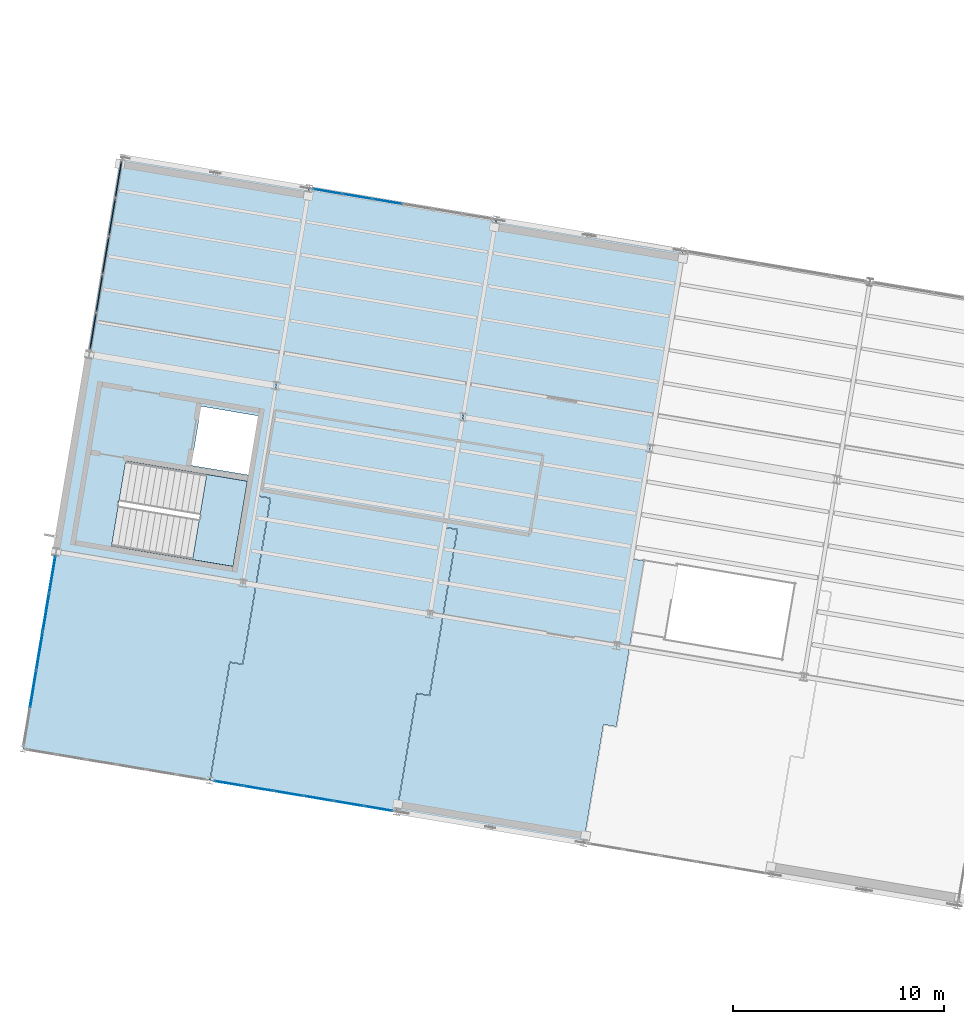
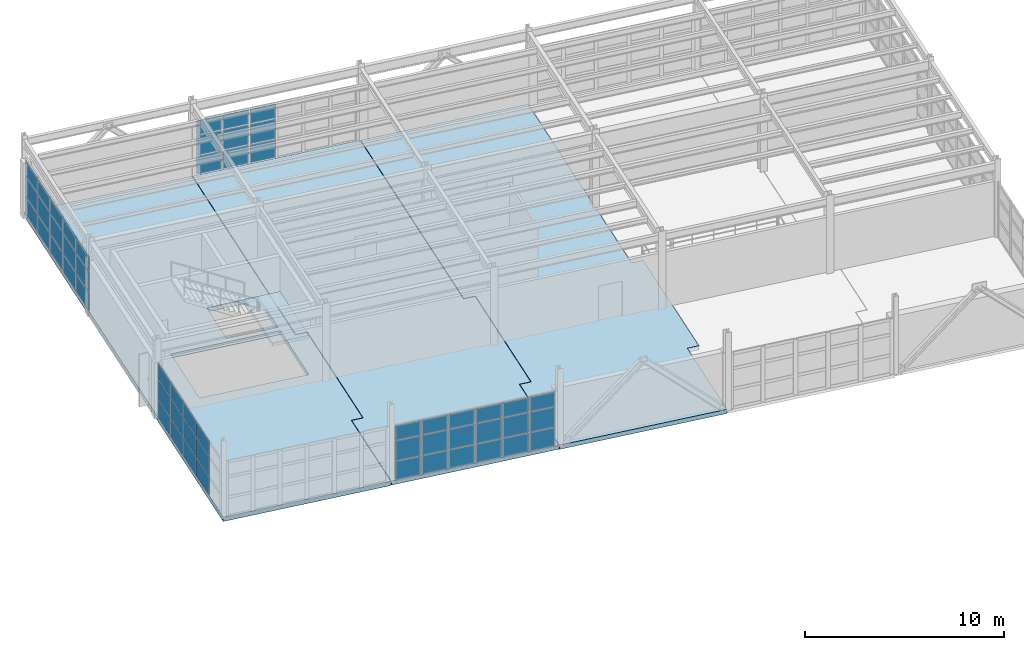
# One storey, part 66 of 102: 54 plates, 4 slabs, 5 elements without a shape of their own.
"""IFC4 building model written with IfcOpenShell, lengths in metres."""

import ifcopenshell
import ifcopenshell.guid

model = None  # the IFC model being written
_history = None  # IfcOwnerHistory: only IFC2X3 demands one
_inside = {}  # id of a spatial element -> (the spatial element, [elements in it])
_under = {}  # id of a project, library or spatial element -> (it, [spatial elements below it])
_declared = {}  # id of a project -> (the project, [libraries it declares])
_typed = {}  # id of a type object -> (the type object, [elements of that type])
_made_of = {}  # id of a material, layer set ... -> (it, [elements and type objects made of it])


def new_model(schema):
    """Start an empty IFC model of exactly this schema.

    Asked for "IFC4X3", IfcOpenShell would pick the latest addendum, in which some entities
    have other attributes; the version numbers below select the first issue.
    IFC2X3 requires an IfcOwnerHistory on every rooted entity: one is made here for all.
    """
    global model, _history
    if schema == "IFC4X3":
        model = ifcopenshell.file(schema_version=(4, 3, 0, 0))
    else:
        model = ifcopenshell.file(schema=schema)
    _inside.clear()
    _under.clear()
    _declared.clear()
    _typed.clear()
    _made_of.clear()
    _history = None
    if model.schema == "IFC2X3":
        org = make("IfcOrganization", Name="unknown")
        user = make(
            "IfcPersonAndOrganization",
            ThePerson=make("IfcPerson", FamilyName="unknown"),
            TheOrganization=org,
        )
        app = make(
            "IfcApplication",
            ApplicationDeveloper=org,
            Version="unknown",
            ApplicationFullName="unknown",
            ApplicationIdentifier="unknown",
        )
        _history = make(
            "IfcOwnerHistory",
            OwningUser=user,
            OwningApplication=app,
            ChangeAction="ADDED",
            CreationDate=0,
        )
    return model


def make(cls, **values):
    """One entity of the class cls with the attributes given. An attribute that is None is left unset."""
    return model.create_entity(
        cls, **{name: value for name, value in values.items() if value is not None}
    )


def rooted(cls, **values):
    """An entity with a GlobalId (a new one), such as an element, a storey or a relation."""
    return make(cls, GlobalId=ifcopenshell.guid.new(), OwnerHistory=_history, **values)


def si_unit(unit_type, name, prefix=None):
    """IfcSIUnit, for example si_unit("LENGTHUNIT", "METRE", prefix="MILLI")."""
    return make("IfcSIUnit", UnitType=unit_type, Prefix=prefix, Name=name)


def assignment(units):
    """IfcUnitAssignment: the units of a project."""
    return None if units is None else make("IfcUnitAssignment", Units=units)


def point(xyz):
    """IfcCartesianPoint."""
    return None if xyz is None else make("IfcCartesianPoint", Coordinates=xyz)


def direction(xyz):
    """IfcDirection."""
    return None if xyz is None else make("IfcDirection", DirectionRatios=xyz)


def frame(location, z_axis=None, x_axis=None):
    """IfcAxis2Placement3D, a coordinate frame: its origin and axes. An axis left out is left unset."""
    return make(
        "IfcAxis2Placement3D",
        Location=point(location),
        Axis=direction(z_axis),
        RefDirection=direction(x_axis),
    )


def frame_2d(location, x_axis=None):
    """IfcAxis2Placement2D, a coordinate frame in the plane: its origin and x axis."""
    return make(
        "IfcAxis2Placement2D", Location=point(location), RefDirection=direction(x_axis)
    )


def origin():
    """The frame at (0, 0, 0) with its axes left unset."""
    return frame((0.0, 0.0, 0.0))


def origin_2d():
    """The frame at (0, 0) in the plane with its x axis left unset."""
    return frame_2d((0.0, 0.0))


def place(relative_to, where):
    """IfcLocalPlacement: puts the frame where relative to a parent placement (None: the world)."""
    return make(
        "IfcLocalPlacement", PlacementRelTo=relative_to, RelativePlacement=where
    )


def context(
    kind, dimensions, precision=None, world=None, true_north=None, identifier=None
):
    """IfcGeometricRepresentationContext, for example the 3D "Model" context."""
    return make(
        "IfcGeometricRepresentationContext",
        ContextIdentifier=identifier,
        ContextType=kind,
        CoordinateSpaceDimension=dimensions,
        Precision=precision,
        WorldCoordinateSystem=world,
        TrueNorth=true_north,
    )


def subcontext(parent, identifier, kind, view, scale=None):
    """IfcGeometricRepresentationSubContext, for example "Body" below "Model"."""
    return make(
        "IfcGeometricRepresentationSubContext",
        ContextIdentifier=identifier,
        ContextType=kind,
        ParentContext=parent,
        TargetScale=scale,
        TargetView=view,
    )


def project(units=None, contexts=None):
    """IfcProject with its units and contexts."""
    return rooted(
        "IfcProject",
        Name="project",
        RepresentationContexts=contexts,
        UnitsInContext=assignment(units),
    )


def spatial(cls, under=None, at=None, **own):
    """A site, building, storey or space (cls), placed at a placement, below another one or the project."""
    s = rooted(cls, ObjectPlacement=at, **own)
    if under is not None:
        _under.setdefault(under.id(), (under, []))[1].append(s)
    return s


def polyline(points):
    """IfcPolyline through the points."""
    return make("IfcPolyline", Points=[point(p) for p in points])


def profile(cls, at=None, kind="AREA", **sizes):
    """A parametric profile (cls). Its sizes go by their IFC names, for example OverallWidth=200.0."""
    return make(cls, ProfileType=kind, Position=at, **sizes)


def rectangle(**sizes):
    """IfcRectangleProfileDef."""
    return profile("IfcRectangleProfileDef", **sizes)


def outline(outer, holes=None, kind="AREA"):
    """IfcArbitraryClosedProfileDef: a profile drawn as a closed curve; with holes, ...WithVoids."""
    if holes is None:
        return make("IfcArbitraryClosedProfileDef", ProfileType=kind, OuterCurve=outer)
    return make(
        "IfcArbitraryProfileDefWithVoids",
        ProfileType=kind,
        OuterCurve=outer,
        InnerCurves=holes,
    )


def extrude(swept, where, along, depth):
    """IfcExtrudedAreaSolid: the profile swept, set in the frame where, extruded along a direction by depth."""
    return make(
        "IfcExtrudedAreaSolid",
        SweptArea=swept,
        Position=where,
        ExtrudedDirection=direction(along),
        Depth=depth,
    )


def shape(context_of_items, identifier, shape_type, items):
    """IfcShapeRepresentation: the items that make up one representation, for example the "Body"."""
    return make(
        "IfcShapeRepresentation",
        ContextOfItems=context_of_items,
        RepresentationIdentifier=identifier,
        RepresentationType=shape_type,
        Items=items,
    )


def material(Name=None, Category=None):
    """IfcMaterial."""
    return make("IfcMaterial", Name=Name, Category=Category)


def layer(
    of_material, thickness, ventilated=None, Name=None, Category=None, Priority=None
):
    """IfcMaterialLayer: one layer of a wall or slab, of a material (None: an air gap)."""
    return make(
        "IfcMaterialLayer",
        Material=of_material,
        LayerThickness=thickness,
        IsVentilated=ventilated,
        Name=Name,
        Category=Category,
        Priority=Priority,
    )


def layer_set(layers, Name=None):
    """IfcMaterialLayerSet."""
    return make("IfcMaterialLayerSet", MaterialLayers=layers, LayerSetName=Name)


def made_of(thing, what):
    """Note that an element or type object is made of a material, layer set ...; save() writes the relation."""
    if what is not None:
        _made_of.setdefault(what.id(), (what, []))[1].append(thing)
    return thing


def type_object(cls, material=None, **own):
    """A type object (cls), such as IfcWallType, which elements share."""
    return made_of(rooted(cls, **own), material)


def element(
    cls,
    number,
    at=None,
    inside=None,
    cuts=None,
    type_object=None,
    material=None,
    context=None,
    identifier="Body",
    shape_type=None,
    held_by="IfcProductDefinitionShape",
    body=None,
    shapes=None,
    **own,
):
    """One element of the class cls, such as IfcWall. Its Tag is "e" and its number.

    at: its placement. inside: the storey or other place that contains it. cuts: it is an
    opening in that element (IfcRelVoidsElement). A single representation is given by context,
    identifier, shape_type and body (its items); several are given by shapes. held_by: the class
    of the entity that holds the representations. save() writes the other relations.
    """
    e = rooted(cls, Tag="e%d" % number, ObjectPlacement=at, **own)
    if body is not None:
        shapes = [shape(context, identifier, shape_type, body)]
    if shapes is not None:
        e.Representation = make(held_by, Representations=shapes)
    if inside is not None:
        _inside.setdefault(inside.id(), (inside, []))[1].append(e)
    if cuts is not None:
        rooted(
            "IfcRelVoidsElement", RelatingBuildingElement=cuts, RelatedOpeningElement=e
        )
    if type_object is not None:
        _typed.setdefault(type_object.id(), (type_object, []))[1].append(e)
    return made_of(e, material)


def aggregate(whole, parts):
    """IfcRelAggregates: a whole, such as a stair, and the parts it consists of."""
    return rooted("IfcRelAggregates", RelatingObject=whole, RelatedObjects=parts)


def save(model, path):
    """Write the relations noted so far, then the file.

    IfcRelAggregates (storeys below a building ...), IfcRelContainedInSpatialStructure (elements
    in a storey), IfcRelDefinesByType, IfcRelAssociatesMaterial and IfcRelDeclares: one each for
    every whole, place, type object, material and project.
    """
    for whole, parts in _under.values():
        aggregate(whole, parts)
    for where, things in _inside.values():
        rooted(
            "IfcRelContainedInSpatialStructure",
            RelatedElements=things,
            RelatingStructure=where,
        )
    for kind, things in _typed.values():
        rooted("IfcRelDefinesByType", RelatedObjects=things, RelatingType=kind)
    for what, things in _made_of.values():
        rooted("IfcRelAssociatesMaterial", RelatedObjects=things, RelatingMaterial=what)
    for by, libraries in _declared.values():
        rooted("IfcRelDeclares", RelatingContext=by, RelatedDefinitions=libraries)
    model.write(path)


model = new_model("IFC4")

# Units and contexts
model_context = context("Model", 3, precision=1e-05, world=origin(), true_north=direction((0.0, 1.0)))
body_context = subcontext(model_context, "Body", "Model", "MODEL_VIEW")
ifc_project = project(units=[si_unit("LENGTHUNIT", "METRE"), si_unit("AREAUNIT", "SQUARE_METRE"), si_unit("VOLUMEUNIT", "CUBIC_METRE"), si_unit("PLANEANGLEUNIT", "RADIAN"), si_unit("MASSUNIT", "GRAM", prefix="KILO")], contexts=[model_context])

# Site, building, storey
site_placement = place(None, origin())
site = spatial("IfcSite", under=ifc_project, at=site_placement, CompositionType="ELEMENT")
building_placement = place(site_placement, origin())
building = spatial("IfcBuilding", under=site, at=building_placement, Name="Vireo Bluff Cable Station", CompositionType="ELEMENT")
storey_placement = place(building_placement, frame((0.0, 0.0, 9.60009765625)))
storey = spatial("IfcBuildingStorey", under=building, at=storey_placement, Name="L02", CompositionType="ELEMENT", Elevation=9.60009765625)

# Curtain wall, plates
ifc_material_1 = material(Name="Anodized Aluminium 6063-T6", Category="aluminium")
ifc_layer_1 = layer(ifc_material_1, 0.179931640625, Name="Anodized Aluminium 6063-T6")
ifc_layer_set_1 = layer_set([ifc_layer_1], Name="Anodized Aluminium 6063-T6")
curtain_wall_type_1 = type_object("IfcCurtainWallType", Name="CW-UNIT-1500", PredefinedType="USERDEFINED", material=ifc_layer_set_1)
curtain_wall_1_placement = place(storey_placement, origin())
curtain_wall_1 = element("IfcCurtainWall", 1, at=curtain_wall_1_placement, inside=storey, type_object=curtain_wall_type_1, Name="V4 L02 north curtain wall CW-100", ObjectType="UNITISED CURTAIN WALL", PredefinedType="USERDEFINED")
ifc_material_2 = material(Name="Laminated Low-E Insulated Glass", Category="glass")
ifc_layer_2 = layer(ifc_material_2, 0.028076171875, Name="Laminated Low-E Insulated Glass")
ifc_layer_set_2 = layer_set([ifc_layer_2], Name="Laminated Low-E Insulated Glass")
plate_type_1 = type_object("IfcPlateType", Name="CWP-28-1", PredefinedType="CURTAIN_PANEL", material=ifc_layer_set_2)
plate_1_placement = place(storey_placement, frame((19.966552734375, 97.975341796875, 0.06494140625), z_axis=(0.0, 0.0, 1.0), x_axis=(0.986285611827, -0.165047544373, 0.0)))
plate_1 = element("IfcPlate", 2, at=plate_1_placement, type_object=plate_type_1, Name="CW-100 panel 1.1", PredefinedType="CURTAIN_PANEL", context=body_context, shape_type="SweptSolid", body=[
    extrude(rectangle(XDim=1.35009765625, YDim=0.028076171875, at=origin_2d()), origin(), (0.0, 0.0, 1.0), 1.092529296875),
])
plate_2_placement = place(storey_placement, frame((19.966552734375, 97.975341796875, 1.22216796875), z_axis=(0.0, 0.0, 1.0), x_axis=(0.986285611827, -0.165047544373, 0.0)))
plate_2 = element("IfcPlate", 3, at=plate_2_placement, type_object=plate_type_1, Name="CW-100 panel 1.2", PredefinedType="CURTAIN_PANEL", context=body_context, shape_type="SweptSolid", body=[
    extrude(rectangle(XDim=1.35009765625, YDim=0.028076171875, at=origin_2d()), origin(), (0.0, 0.0, 1.0), 1.193115234375),
])
plate_3_placement = place(storey_placement, frame((19.966552734375, 97.975341796875, 2.48046875), z_axis=(0.0, 0.0, 1.0), x_axis=(0.986285611827, -0.165047544373, 0.0)))
plate_3 = element("IfcPlate", 4, at=plate_3_placement, type_object=plate_type_1, Name="CW-100 panel 1.3", PredefinedType="CURTAIN_PANEL", context=body_context, shape_type="SweptSolid", body=[
    extrude(rectangle(XDim=1.35009765625, YDim=0.028076171875, at=origin_2d()), origin(), (0.0, 0.0, 1.0), 0.8544921875),
])
plate_4_placement = place(storey_placement, frame((21.378173828125, 97.7392578125, 0.06494140625), z_axis=(0.0, 0.0, 1.0), x_axis=(0.986285611827, -0.165047544373, 0.0)))
plate_4 = element("IfcPlate", 5, at=plate_4_placement, type_object=plate_type_1, Name="CW-100 panel 2.1", PredefinedType="CURTAIN_PANEL", context=body_context, shape_type="SweptSolid", body=[
    extrude(rectangle(XDim=1.382568359375, YDim=0.028076171875, at=origin_2d()), origin(), (0.0, 0.0, 1.0), 1.092529296875),
])
plate_5_placement = place(storey_placement, frame((21.378173828125, 97.7392578125, 1.22216796875), z_axis=(0.0, 0.0, 1.0), x_axis=(0.986285611827, -0.165047544373, 0.0)))
plate_5 = element("IfcPlate", 6, at=plate_5_placement, type_object=plate_type_1, Name="CW-100 panel 2.2", PredefinedType="CURTAIN_PANEL", context=body_context, shape_type="SweptSolid", body=[
    extrude(rectangle(XDim=1.382568359375, YDim=0.028076171875, at=origin_2d()), origin(), (0.0, 0.0, 1.0), 1.193115234375),
])
plate_6_placement = place(storey_placement, frame((21.378173828125, 97.7392578125, 2.48046875), z_axis=(0.0, 0.0, 1.0), x_axis=(0.986285611827, -0.165047544373, 0.0)))
plate_6 = element("IfcPlate", 7, at=plate_6_placement, type_object=plate_type_1, Name="CW-100 panel 2.3", PredefinedType="CURTAIN_PANEL", context=body_context, shape_type="SweptSolid", body=[
    extrude(rectangle(XDim=1.382568359375, YDim=0.028076171875, at=origin_2d()), origin(), (0.0, 0.0, 1.0), 0.8544921875),
])
plate_7_placement = place(storey_placement, frame((22.805908203125, 97.500244140625, 0.06494140625), z_axis=(0.0, 0.0, 1.0), x_axis=(0.986285611827, -0.165047544373, 0.0)))
plate_7 = element("IfcPlate", 8, at=plate_7_placement, type_object=plate_type_1, Name="CW-100 panel 3.1", PredefinedType="CURTAIN_PANEL", context=body_context, shape_type="SweptSolid", body=[
    extrude(rectangle(XDim=1.382568359375, YDim=0.028076171875, at=origin_2d()), origin(), (0.0, 0.0, 1.0), 1.092529296875),
])
plate_8_placement = place(storey_placement, frame((22.805908203125, 97.500244140625, 1.22216796875), z_axis=(0.0, 0.0, 1.0), x_axis=(0.986285611827, -0.165047544373, 0.0)))
plate_8 = element("IfcPlate", 9, at=plate_8_placement, type_object=plate_type_1, Name="CW-100 panel 3.2", PredefinedType="CURTAIN_PANEL", context=body_context, shape_type="SweptSolid", body=[
    extrude(rectangle(XDim=1.382568359375, YDim=0.028076171875, at=origin_2d()), origin(), (0.0, 0.0, 1.0), 1.193115234375),
])
plate_9_placement = place(storey_placement, frame((22.805908203125, 97.500244140625, 2.48046875), z_axis=(0.0, 0.0, 1.0), x_axis=(0.986285611827, -0.165047544373, 0.0)))
plate_9 = element("IfcPlate", 10, at=plate_9_placement, type_object=plate_type_1, Name="CW-100 panel 3.3", PredefinedType="CURTAIN_PANEL", context=body_context, shape_type="SweptSolid", body=[
    extrude(rectangle(XDim=1.382568359375, YDim=0.028076171875, at=origin_2d()), origin(), (0.0, 0.0, 1.0), 0.8544921875),
])
aggregate(curtain_wall_1, [plate_1, plate_2, plate_3, plate_4, plate_5, plate_6, plate_7, plate_8, plate_9])

ifc_layer_3 = layer(ifc_material_1, 0.179931640625, Name="Anodized Aluminium 6063-T6")
ifc_layer_set_3 = layer_set([ifc_layer_3], Name="Anodized Aluminium 6063-T6")
curtain_wall_type_2 = type_object("IfcCurtainWallType", Name="CW-UNIT-1400", PredefinedType="USERDEFINED", material=ifc_layer_set_3)
curtain_wall_2_placement = place(storey_placement, origin())
curtain_wall_2 = element("IfcCurtainWall", 11, at=curtain_wall_2_placement, inside=storey, type_object=curtain_wall_type_2, Name="V4 L02 south curtain wall CW-096", ObjectType="UNITISED CURTAIN WALL", PredefinedType="USERDEFINED")
ifc_layer_4 = layer(ifc_material_2, 0.031982421875, Name="Laminated Low-E Insulated Glass")
ifc_layer_set_4 = layer_set([ifc_layer_4], Name="Laminated Low-E Insulated Glass")
plate_type_2 = type_object("IfcPlateType", Name="CWP-32-2", PredefinedType="CURTAIN_PANEL", material=ifc_layer_set_4)
plate_10_placement = place(storey_placement, frame((22.366943359375, 68.677490234375, 0.06494140625), z_axis=(0.0, 0.0, 1.0), x_axis=(-0.986285593085, 0.165047656366, 0.0)))
plate_10 = element("IfcPlate", 12, at=plate_10_placement, type_object=plate_type_2, Name="CW-096 panel 1.1", PredefinedType="CURTAIN_PANEL", context=body_context, shape_type="SweptSolid", body=[
    extrude(rectangle(XDim=1.35009765625, YDim=0.031982421875, at=origin_2d()), origin(), (0.0, 0.0, 1.0), 1.092529296875),
])
plate_11_placement = place(storey_placement, frame((22.366943359375, 68.677490234375, 1.22216796875), z_axis=(0.0, 0.0, 1.0), x_axis=(-0.986285593085, 0.165047656366, 0.0)))
plate_11 = element("IfcPlate", 13, at=plate_11_placement, type_object=plate_type_2, Name="CW-096 panel 1.2", PredefinedType="CURTAIN_PANEL", context=body_context, shape_type="SweptSolid", body=[
    extrude(rectangle(XDim=1.35009765625, YDim=0.031982421875, at=origin_2d()), origin(), (0.0, 0.0, 1.0), 1.193115234375),
])
plate_12_placement = place(storey_placement, frame((22.366943359375, 68.677490234375, 2.48046875), z_axis=(0.0, 0.0, 1.0), x_axis=(-0.986285593085, 0.165047656366, 0.0)))
plate_12 = element("IfcPlate", 14, at=plate_12_placement, type_object=plate_type_2, Name="CW-096 panel 1.3", PredefinedType="CURTAIN_PANEL", context=body_context, shape_type="SweptSolid", body=[
    extrude(rectangle(XDim=1.35009765625, YDim=0.031982421875, at=origin_2d()), origin(), (0.0, 0.0, 1.0), 0.8544921875),
])
plate_13_placement = place(storey_placement, frame((20.955322265625, 68.91357421875, 0.06494140625), z_axis=(0.0, 0.0, 1.0), x_axis=(-0.986285593085, 0.165047656366, 0.0)))
plate_13 = element("IfcPlate", 15, at=plate_13_placement, type_object=plate_type_2, Name="CW-096 panel 2.1", PredefinedType="CURTAIN_PANEL", context=body_context, shape_type="SweptSolid", body=[
    extrude(rectangle(XDim=1.382568359375, YDim=0.031982421875, at=origin_2d()), origin(), (0.0, 0.0, 1.0), 1.092529296875),
])
plate_14_placement = place(storey_placement, frame((20.955322265625, 68.91357421875, 1.22216796875), z_axis=(0.0, 0.0, 1.0), x_axis=(-0.986285593085, 0.165047656366, 0.0)))
plate_14 = element("IfcPlate", 16, at=plate_14_placement, type_object=plate_type_2, Name="CW-096 panel 2.2", PredefinedType="CURTAIN_PANEL", context=body_context, shape_type="SweptSolid", body=[
    extrude(rectangle(XDim=1.382568359375, YDim=0.031982421875, at=origin_2d()), origin(), (0.0, 0.0, 1.0), 1.193115234375),
])
plate_15_placement = place(storey_placement, frame((20.955322265625, 68.91357421875, 2.48046875), z_axis=(0.0, 0.0, 1.0), x_axis=(-0.986285593085, 0.165047656366, 0.0)))
plate_15 = element("IfcPlate", 17, at=plate_15_placement, type_object=plate_type_2, Name="CW-096 panel 2.3", PredefinedType="CURTAIN_PANEL", context=body_context, shape_type="SweptSolid", body=[
    extrude(rectangle(XDim=1.382568359375, YDim=0.031982421875, at=origin_2d()), origin(), (0.0, 0.0, 1.0), 0.8544921875),
])
plate_16_placement = place(storey_placement, frame((19.527587890625, 69.152587890625, 0.06494140625), z_axis=(0.0, 0.0, 1.0), x_axis=(-0.986285593085, 0.165047656366, 0.0)))
plate_16 = element("IfcPlate", 18, at=plate_16_placement, type_object=plate_type_2, Name="CW-096 panel 3.1", PredefinedType="CURTAIN_PANEL", context=body_context, shape_type="SweptSolid", body=[
    extrude(rectangle(XDim=1.382568359375, YDim=0.031982421875, at=origin_2d()), origin(), (0.0, 0.0, 1.0), 1.092529296875),
])
plate_17_placement = place(storey_placement, frame((19.527587890625, 69.152587890625, 1.22216796875), z_axis=(0.0, 0.0, 1.0), x_axis=(-0.986285593085, 0.165047656366, 0.0)))
plate_17 = element("IfcPlate", 19, at=plate_17_placement, type_object=plate_type_2, Name="CW-096 panel 3.2", PredefinedType="CURTAIN_PANEL", context=body_context, shape_type="SweptSolid", body=[
    extrude(rectangle(XDim=1.382568359375, YDim=0.031982421875, at=origin_2d()), origin(), (0.0, 0.0, 1.0), 1.193115234375),
])
plate_18_placement = place(storey_placement, frame((19.527587890625, 69.152587890625, 2.48046875), z_axis=(0.0, 0.0, 1.0), x_axis=(-0.986285593085, 0.165047656366, 0.0)))
plate_18 = element("IfcPlate", 20, at=plate_18_placement, type_object=plate_type_2, Name="CW-096 panel 3.3", PredefinedType="CURTAIN_PANEL", context=body_context, shape_type="SweptSolid", body=[
    extrude(rectangle(XDim=1.382568359375, YDim=0.031982421875, at=origin_2d()), origin(), (0.0, 0.0, 1.0), 0.8544921875),
])
plate_19_placement = place(storey_placement, frame((18.10009765625, 69.391357421875, 0.06494140625), z_axis=(0.0, 0.0, 1.0), x_axis=(-0.986285593085, 0.165047656366, 0.0)))
plate_19 = element("IfcPlate", 21, at=plate_19_placement, type_object=plate_type_2, Name="CW-096 panel 4.1", PredefinedType="CURTAIN_PANEL", context=body_context, shape_type="SweptSolid", body=[
    extrude(rectangle(XDim=1.382568359375, YDim=0.031982421875, at=origin_2d()), origin(), (0.0, 0.0, 1.0), 1.092529296875),
])
plate_20_placement = place(storey_placement, frame((18.10009765625, 69.391357421875, 1.22216796875), z_axis=(0.0, 0.0, 1.0), x_axis=(-0.986285593085, 0.165047656366, 0.0)))
plate_20 = element("IfcPlate", 22, at=plate_20_placement, type_object=plate_type_2, Name="CW-096 panel 4.2", PredefinedType="CURTAIN_PANEL", context=body_context, shape_type="SweptSolid", body=[
    extrude(rectangle(XDim=1.382568359375, YDim=0.031982421875, at=origin_2d()), origin(), (0.0, 0.0, 1.0), 1.193115234375),
])
plate_21_placement = place(storey_placement, frame((18.10009765625, 69.391357421875, 2.48046875), z_axis=(0.0, 0.0, 1.0), x_axis=(-0.986285593085, 0.165047656366, 0.0)))
plate_21 = element("IfcPlate", 23, at=plate_21_placement, type_object=plate_type_2, Name="CW-096 panel 4.3", PredefinedType="CURTAIN_PANEL", context=body_context, shape_type="SweptSolid", body=[
    extrude(rectangle(XDim=1.382568359375, YDim=0.031982421875, at=origin_2d()), origin(), (0.0, 0.0, 1.0), 0.8544921875),
])
plate_22_placement = place(storey_placement, frame((16.67236328125, 69.63037109375, 0.06494140625), z_axis=(0.0, 0.0, 1.0), x_axis=(-0.986285593085, 0.165047656366, 0.0)))
plate_22 = element("IfcPlate", 24, at=plate_22_placement, type_object=plate_type_2, Name="CW-096 panel 5.1", PredefinedType="CURTAIN_PANEL", context=body_context, shape_type="SweptSolid", body=[
    extrude(rectangle(XDim=1.382568359375, YDim=0.031982421875, at=origin_2d()), origin(), (0.0, 0.0, 1.0), 1.092529296875),
])
plate_23_placement = place(storey_placement, frame((16.67236328125, 69.63037109375, 1.22216796875), z_axis=(0.0, 0.0, 1.0), x_axis=(-0.986285593085, 0.165047656366, 0.0)))
plate_23 = element("IfcPlate", 25, at=plate_23_placement, type_object=plate_type_2, Name="CW-096 panel 5.2", PredefinedType="CURTAIN_PANEL", context=body_context, shape_type="SweptSolid", body=[
    extrude(rectangle(XDim=1.382568359375, YDim=0.031982421875, at=origin_2d()), origin(), (0.0, 0.0, 1.0), 1.193115234375),
])
plate_24_placement = place(storey_placement, frame((16.67236328125, 69.63037109375, 2.48046875), z_axis=(0.0, 0.0, 1.0), x_axis=(-0.986285593085, 0.165047656366, 0.0)))
plate_24 = element("IfcPlate", 26, at=plate_24_placement, type_object=plate_type_2, Name="CW-096 panel 5.3", PredefinedType="CURTAIN_PANEL", context=body_context, shape_type="SweptSolid", body=[
    extrude(rectangle(XDim=1.382568359375, YDim=0.031982421875, at=origin_2d()), origin(), (0.0, 0.0, 1.0), 0.8544921875),
])
plate_25_placement = place(storey_placement, frame((15.2607421875, 69.86669921875, 0.06494140625), z_axis=(0.0, 0.0, 1.0), x_axis=(-0.986285593085, 0.165047656366, 0.0)))
plate_25 = element("IfcPlate", 27, at=plate_25_placement, type_object=plate_type_2, Name="CW-096 panel 6.1", PredefinedType="CURTAIN_PANEL", context=body_context, shape_type="SweptSolid", body=[
    extrude(rectangle(XDim=1.35009765625, YDim=0.031982421875, at=origin_2d()), origin(), (0.0, 0.0, 1.0), 1.092529296875),
])
plate_26_placement = place(storey_placement, frame((15.2607421875, 69.86669921875, 1.22216796875), z_axis=(0.0, 0.0, 1.0), x_axis=(-0.986285593085, 0.165047656366, 0.0)))
plate_26 = element("IfcPlate", 28, at=plate_26_placement, type_object=plate_type_2, Name="CW-096 panel 6.2", PredefinedType="CURTAIN_PANEL", context=body_context, shape_type="SweptSolid", body=[
    extrude(rectangle(XDim=1.35009765625, YDim=0.031982421875, at=origin_2d()), origin(), (0.0, 0.0, 1.0), 1.193115234375),
])
plate_27_placement = place(storey_placement, frame((15.2607421875, 69.86669921875, 2.48046875), z_axis=(0.0, 0.0, 1.0), x_axis=(-0.986285593085, 0.165047656366, 0.0)))
plate_27 = element("IfcPlate", 29, at=plate_27_placement, type_object=plate_type_2, Name="CW-096 panel 6.3", PredefinedType="CURTAIN_PANEL", context=body_context, shape_type="SweptSolid", body=[
    extrude(rectangle(XDim=1.35009765625, YDim=0.031982421875, at=origin_2d()), origin(), (0.0, 0.0, 1.0), 0.8544921875),
])
aggregate(curtain_wall_2, [plate_10, plate_11, plate_12, plate_13, plate_14, plate_15, plate_16, plate_17, plate_18, plate_19, plate_20, plate_21, plate_22, plate_23, plate_24, plate_25, plate_26, plate_27])

ifc_layer_5 = layer(ifc_material_1, 0.159912109375, Name="Anodized Aluminium 6063-T6")
ifc_layer_set_5 = layer_set([ifc_layer_5], Name="Anodized Aluminium 6063-T6")
curtain_wall_type_3 = type_object("IfcCurtainWallType", Name="CW-STICK-1750", PredefinedType="USERDEFINED", material=ifc_layer_set_5)
curtain_wall_3_placement = place(storey_placement, origin())
curtain_wall_3 = element("IfcCurtainWall", 30, at=curtain_wall_3_placement, inside=storey, type_object=curtain_wall_type_3, Name="V4 L02 west curtain wall CW-098", ObjectType="STICK CURTAIN WALL", PredefinedType="USERDEFINED")
ifc_material_3 = material(Name="Insulated Spandrel Glass Panel", Category="glass")
ifc_layer_6 = layer(ifc_material_3, 0.0419921875, Name="Insulated Spandrel Glass Panel")
ifc_layer_set_6 = layer_set([ifc_layer_6], Name="Insulated Spandrel Glass Panel")
plate_type_3 = type_object("IfcPlateType", Name="CWP-42-4", PredefinedType="CURTAIN_PANEL", material=ifc_layer_set_6)
plate_28_placement = place(storey_placement, frame((5.977783203125, 74.35498046875, 0.059814453125), z_axis=(0.0, 0.0, 1.0), x_axis=(0.165047635589, 0.986285596562, 0.0)))
plate_28 = element("IfcPlate", 31, at=plate_28_placement, type_object=plate_type_3, Name="CW-098 panel 2.1", PredefinedType="CURTAIN_PANEL", context=body_context, shape_type="SweptSolid", body=[
    extrude(rectangle(XDim=1.780517578125, YDim=0.0419921875, at=origin_2d()), origin(), (0.0, 0.0, 1.0), 1.10009765625),
])
plate_29_placement = place(storey_placement, frame((5.977783203125, 74.35498046875, 1.2197265625), z_axis=(0.0, 0.0, 1.0), x_axis=(0.165047635589, 0.986285596562, 0.0)))
plate_29 = element("IfcPlate", 32, at=plate_29_placement, type_object=plate_type_3, Name="CW-098 panel 2.2", PredefinedType="CURTAIN_PANEL", context=body_context, shape_type="SweptSolid", body=[
    extrude(rectangle(XDim=1.780517578125, YDim=0.0419921875, at=origin_2d()), origin(), (0.0, 0.0, 1.0), 1.197998046875),
])
plate_30_placement = place(storey_placement, frame((5.977783203125, 74.35498046875, 2.47802734375), z_axis=(0.0, 0.0, 1.0), x_axis=(0.165047635589, 0.986285596562, 0.0)))
plate_30 = element("IfcPlate", 33, at=plate_30_placement, type_object=plate_type_3, Name="CW-098 panel 2.3", PredefinedType="CURTAIN_PANEL", context=body_context, shape_type="SweptSolid", body=[
    extrude(rectangle(XDim=1.780517578125, YDim=0.0419921875, at=origin_2d()), origin(), (0.0, 0.0, 1.0), 0.862060546875),
])
plate_31_placement = place(storey_placement, frame((6.281494140625, 76.17041015625, 0.059814453125), z_axis=(0.0, 0.0, 1.0), x_axis=(0.165047635589, 0.986285596562, 0.0)))
plate_31 = element("IfcPlate", 34, at=plate_31_placement, type_object=plate_type_3, Name="CW-098 panel 3.1", PredefinedType="CURTAIN_PANEL", context=body_context, shape_type="SweptSolid", body=[
    extrude(rectangle(XDim=1.780517578125, YDim=0.0419921875, at=origin_2d()), origin(), (0.0, 0.0, 1.0), 1.10009765625),
])
plate_32_placement = place(storey_placement, frame((6.281494140625, 76.17041015625, 1.2197265625), z_axis=(0.0, 0.0, 1.0), x_axis=(0.165047635589, 0.986285596562, 0.0)))
plate_32 = element("IfcPlate", 35, at=plate_32_placement, type_object=plate_type_3, Name="CW-098 panel 3.2", PredefinedType="CURTAIN_PANEL", context=body_context, shape_type="SweptSolid", body=[
    extrude(rectangle(XDim=1.780517578125, YDim=0.0419921875, at=origin_2d()), origin(), (0.0, 0.0, 1.0), 1.197998046875),
])
plate_33_placement = place(storey_placement, frame((6.281494140625, 76.17041015625, 2.47802734375), z_axis=(0.0, 0.0, 1.0), x_axis=(0.165047635589, 0.986285596562, 0.0)))
plate_33 = element("IfcPlate", 36, at=plate_33_placement, type_object=plate_type_3, Name="CW-098 panel 3.3", PredefinedType="CURTAIN_PANEL", context=body_context, shape_type="SweptSolid", body=[
    extrude(rectangle(XDim=1.780517578125, YDim=0.0419921875, at=origin_2d()), origin(), (0.0, 0.0, 1.0), 0.862060546875),
])
plate_34_placement = place(storey_placement, frame((6.585205078125, 77.985595703125, 0.059814453125), z_axis=(0.0, 0.0, 1.0), x_axis=(0.165047635589, 0.986285596562, 0.0)))
plate_34 = element("IfcPlate", 37, at=plate_34_placement, type_object=plate_type_3, Name="CW-098 panel 4.1", PredefinedType="CURTAIN_PANEL", context=body_context, shape_type="SweptSolid", body=[
    extrude(rectangle(XDim=1.780517578125, YDim=0.0419921875, at=origin_2d()), origin(), (0.0, 0.0, 1.0), 1.10009765625),
])
plate_35_placement = place(storey_placement, frame((6.585205078125, 77.985595703125, 1.2197265625), z_axis=(0.0, 0.0, 1.0), x_axis=(0.165047635589, 0.986285596562, 0.0)))
plate_35 = element("IfcPlate", 38, at=plate_35_placement, type_object=plate_type_3, Name="CW-098 panel 4.2", PredefinedType="CURTAIN_PANEL", context=body_context, shape_type="SweptSolid", body=[
    extrude(rectangle(XDim=1.780517578125, YDim=0.0419921875, at=origin_2d()), origin(), (0.0, 0.0, 1.0), 1.197998046875),
])
plate_36_placement = place(storey_placement, frame((6.585205078125, 77.985595703125, 2.47802734375), z_axis=(0.0, 0.0, 1.0), x_axis=(0.165047635589, 0.986285596562, 0.0)))
plate_36 = element("IfcPlate", 39, at=plate_36_placement, type_object=plate_type_3, Name="CW-098 panel 4.3", PredefinedType="CURTAIN_PANEL", context=body_context, shape_type="SweptSolid", body=[
    extrude(rectangle(XDim=1.780517578125, YDim=0.0419921875, at=origin_2d()), origin(), (0.0, 0.0, 1.0), 0.862060546875),
])
plate_37_placement = place(storey_placement, frame((6.88671875, 79.7861328125, 0.059814453125), z_axis=(0.0, 0.0, 1.0), x_axis=(0.165047635589, 0.986285596562, 0.0)))
plate_37 = element("IfcPlate", 40, at=plate_37_placement, type_object=plate_type_3, Name="CW-098 panel 5.1", PredefinedType="CURTAIN_PANEL", context=body_context, shape_type="SweptSolid", body=[
    extrude(rectangle(XDim=1.75048828125, YDim=0.0419921875, at=origin_2d()), origin(), (0.0, 0.0, 1.0), 1.10009765625),
])
plate_38_placement = place(storey_placement, frame((6.88671875, 79.7861328125, 1.2197265625), z_axis=(0.0, 0.0, 1.0), x_axis=(0.165047635589, 0.986285596562, 0.0)))
plate_38 = element("IfcPlate", 41, at=plate_38_placement, type_object=plate_type_3, Name="CW-098 panel 5.2", PredefinedType="CURTAIN_PANEL", context=body_context, shape_type="SweptSolid", body=[
    extrude(rectangle(XDim=1.75048828125, YDim=0.0419921875, at=origin_2d()), origin(), (0.0, 0.0, 1.0), 1.197998046875),
])
plate_39_placement = place(storey_placement, frame((6.88671875, 79.7861328125, 2.47802734375), z_axis=(0.0, 0.0, 1.0), x_axis=(0.165047635589, 0.986285596562, 0.0)))
plate_39 = element("IfcPlate", 42, at=plate_39_placement, type_object=plate_type_3, Name="CW-098 panel 5.3", PredefinedType="CURTAIN_PANEL", context=body_context, shape_type="SweptSolid", body=[
    extrude(rectangle(XDim=1.75048828125, YDim=0.0419921875, at=origin_2d()), origin(), (0.0, 0.0, 1.0), 0.862060546875),
])
aggregate(curtain_wall_3, [plate_28, plate_29, plate_30, plate_31, plate_32, plate_33, plate_34, plate_35, plate_36, plate_37, plate_38, plate_39])

ifc_layer_7 = layer(ifc_material_1, 0.159912109375, Name="Anodized Aluminium 6063-T6")
ifc_layer_set_7 = layer_set([ifc_layer_7], Name="Anodized Aluminium 6063-T6")
curtain_wall_type_4 = type_object("IfcCurtainWallType", Name="CW-STICK-1850", PredefinedType="USERDEFINED", material=ifc_layer_set_7)
curtain_wall_4_placement = place(storey_placement, origin())
curtain_wall_4 = element("IfcCurtainWall", 43, at=curtain_wall_4_placement, inside=storey, type_object=curtain_wall_type_4, Name="V4 L02 west curtain wall CW-099", ObjectType="STICK CURTAIN WALL", PredefinedType="USERDEFINED")
ifc_layer_8 = layer(ifc_material_3, 0.048095703125, Name="Insulated Spandrel Glass Panel")
ifc_layer_set_8 = layer_set([ifc_layer_8], Name="Insulated Spandrel Glass Panel")
plate_type_4 = type_object("IfcPlateType", Name="CWP-48-5", PredefinedType="CURTAIN_PANEL", material=ifc_layer_set_8)
plate_40_placement = place(storey_placement, frame((8.818115234375, 91.328369140625, 0.080078125), z_axis=(0.0, 0.0, 1.0), x_axis=(0.165047617979, 0.986285599509, 0.0)))
plate_40 = element("IfcPlate", 44, at=plate_40_placement, type_object=plate_type_4, Name="CW-099 panel 1.1", PredefinedType="CURTAIN_PANEL", context=body_context, shape_type="SweptSolid", body=[
    extrude(rectangle(XDim=1.72119140625, YDim=0.048095703125, at=origin_2d()), origin(), (0.0, 0.0, 1.0), 1.070068359375),
])
plate_41_placement = place(storey_placement, frame((8.818115234375, 91.328369140625, 1.22998046875), z_axis=(0.0, 0.0, 1.0), x_axis=(0.165047617979, 0.986285599509, 0.0)))
plate_41 = element("IfcPlate", 45, at=plate_41_placement, type_object=plate_type_4, Name="CW-099 panel 1.2", PredefinedType="CURTAIN_PANEL", context=body_context, shape_type="SweptSolid", body=[
    extrude(rectangle(XDim=1.72119140625, YDim=0.048095703125, at=origin_2d()), origin(), (0.0, 0.0, 1.0), 1.177978515625),
])
plate_42_placement = place(storey_placement, frame((8.818115234375, 91.328369140625, 2.48779296875), z_axis=(0.0, 0.0, 1.0), x_axis=(0.165047617979, 0.986285599509, 0.0)))
plate_42 = element("IfcPlate", 46, at=plate_42_placement, type_object=plate_type_4, Name="CW-099 panel 1.3", PredefinedType="CURTAIN_PANEL", context=body_context, shape_type="SweptSolid", body=[
    extrude(rectangle(XDim=1.72119140625, YDim=0.048095703125, at=origin_2d()), origin(), (0.0, 0.0, 1.0), 0.83203125),
])
plate_43_placement = place(storey_placement, frame((9.11865234375, 93.124755859375, 0.080078125), z_axis=(0.0, 0.0, 1.0), x_axis=(0.165047617979, 0.986285599509, 0.0)))
plate_43 = element("IfcPlate", 47, at=plate_43_placement, type_object=plate_type_4, Name="CW-099 panel 2.1", PredefinedType="CURTAIN_PANEL", context=body_context, shape_type="SweptSolid", body=[
    extrude(rectangle(XDim=1.76123046875, YDim=0.048095703125, at=origin_2d()), origin(), (0.0, 0.0, 1.0), 1.070068359375),
])
plate_44_placement = place(storey_placement, frame((9.11865234375, 93.124755859375, 1.22998046875), z_axis=(0.0, 0.0, 1.0), x_axis=(0.165047617979, 0.986285599509, 0.0)))
plate_44 = element("IfcPlate", 48, at=plate_44_placement, type_object=plate_type_4, Name="CW-099 panel 2.2", PredefinedType="CURTAIN_PANEL", context=body_context, shape_type="SweptSolid", body=[
    extrude(rectangle(XDim=1.76123046875, YDim=0.048095703125, at=origin_2d()), origin(), (0.0, 0.0, 1.0), 1.177978515625),
])
plate_45_placement = place(storey_placement, frame((9.11865234375, 93.124755859375, 2.48779296875), z_axis=(0.0, 0.0, 1.0), x_axis=(0.165047617979, 0.986285599509, 0.0)))
plate_45 = element("IfcPlate", 49, at=plate_45_placement, type_object=plate_type_4, Name="CW-099 panel 2.3", PredefinedType="CURTAIN_PANEL", context=body_context, shape_type="SweptSolid", body=[
    extrude(rectangle(XDim=1.76123046875, YDim=0.048095703125, at=origin_2d()), origin(), (0.0, 0.0, 1.0), 0.83203125),
])
plate_46_placement = place(storey_placement, frame((9.422607421875, 94.94091796875, 0.080078125), z_axis=(0.0, 0.0, 1.0), x_axis=(0.165047617979, 0.986285599509, 0.0)))
plate_46 = element("IfcPlate", 50, at=plate_46_placement, type_object=plate_type_4, Name="CW-099 panel 3.1", PredefinedType="CURTAIN_PANEL", context=body_context, shape_type="SweptSolid", body=[
    extrude(rectangle(XDim=1.76123046875, YDim=0.048095703125, at=origin_2d()), origin(), (0.0, 0.0, 1.0), 1.070068359375),
])
plate_47_placement = place(storey_placement, frame((9.422607421875, 94.94091796875, 1.22998046875), z_axis=(0.0, 0.0, 1.0), x_axis=(0.165047617979, 0.986285599509, 0.0)))
plate_47 = element("IfcPlate", 51, at=plate_47_placement, type_object=plate_type_4, Name="CW-099 panel 3.2", PredefinedType="CURTAIN_PANEL", context=body_context, shape_type="SweptSolid", body=[
    extrude(rectangle(XDim=1.76123046875, YDim=0.048095703125, at=origin_2d()), origin(), (0.0, 0.0, 1.0), 1.177978515625),
])
plate_48_placement = place(storey_placement, frame((9.422607421875, 94.94091796875, 2.48779296875), z_axis=(0.0, 0.0, 1.0), x_axis=(0.165047617979, 0.986285599509, 0.0)))
plate_48 = element("IfcPlate", 52, at=plate_48_placement, type_object=plate_type_4, Name="CW-099 panel 3.3", PredefinedType="CURTAIN_PANEL", context=body_context, shape_type="SweptSolid", body=[
    extrude(rectangle(XDim=1.76123046875, YDim=0.048095703125, at=origin_2d()), origin(), (0.0, 0.0, 1.0), 0.83203125),
])
plate_49_placement = place(storey_placement, frame((9.7265625, 96.7568359375, 0.080078125), z_axis=(0.0, 0.0, 1.0), x_axis=(0.165047617979, 0.986285599509, 0.0)))
plate_49 = element("IfcPlate", 53, at=plate_49_placement, type_object=plate_type_4, Name="CW-099 panel 4.1", PredefinedType="CURTAIN_PANEL", context=body_context, shape_type="SweptSolid", body=[
    extrude(rectangle(XDim=1.76123046875, YDim=0.048095703125, at=origin_2d()), origin(), (0.0, 0.0, 1.0), 1.070068359375),
])
plate_50_placement = place(storey_placement, frame((9.7265625, 96.7568359375, 1.22998046875), z_axis=(0.0, 0.0, 1.0), x_axis=(0.165047617979, 0.986285599509, 0.0)))
plate_50 = element("IfcPlate", 54, at=plate_50_placement, type_object=plate_type_4, Name="CW-099 panel 4.2", PredefinedType="CURTAIN_PANEL", context=body_context, shape_type="SweptSolid", body=[
    extrude(rectangle(XDim=1.76123046875, YDim=0.048095703125, at=origin_2d()), origin(), (0.0, 0.0, 1.0), 1.177978515625),
])
plate_51_placement = place(storey_placement, frame((9.7265625, 96.7568359375, 2.48779296875), z_axis=(0.0, 0.0, 1.0), x_axis=(0.165047617979, 0.986285599509, 0.0)))
plate_51 = element("IfcPlate", 55, at=plate_51_placement, type_object=plate_type_4, Name="CW-099 panel 4.3", PredefinedType="CURTAIN_PANEL", context=body_context, shape_type="SweptSolid", body=[
    extrude(rectangle(XDim=1.76123046875, YDim=0.048095703125, at=origin_2d()), origin(), (0.0, 0.0, 1.0), 0.83203125),
])
plate_52_placement = place(storey_placement, frame((10.027099609375, 98.55322265625, 0.080078125), z_axis=(0.0, 0.0, 1.0), x_axis=(0.165047617979, 0.986285599509, 0.0)))
plate_52 = element("IfcPlate", 56, at=plate_52_placement, type_object=plate_type_4, Name="CW-099 panel 5.1", PredefinedType="CURTAIN_PANEL", context=body_context, shape_type="SweptSolid", body=[
    extrude(rectangle(XDim=1.72119140625, YDim=0.048095703125, at=origin_2d()), origin(), (0.0, 0.0, 1.0), 1.070068359375),
])
plate_53_placement = place(storey_placement, frame((10.027099609375, 98.55322265625, 1.22998046875), z_axis=(0.0, 0.0, 1.0), x_axis=(0.165047617979, 0.986285599509, 0.0)))
plate_53 = element("IfcPlate", 57, at=plate_53_placement, type_object=plate_type_4, Name="CW-099 panel 5.2", PredefinedType="CURTAIN_PANEL", context=body_context, shape_type="SweptSolid", body=[
    extrude(rectangle(XDim=1.72119140625, YDim=0.048095703125, at=origin_2d()), origin(), (0.0, 0.0, 1.0), 1.177978515625),
])
plate_54_placement = place(storey_placement, frame((10.027099609375, 98.55322265625, 2.48779296875), z_axis=(0.0, 0.0, 1.0), x_axis=(0.165047617979, 0.986285599509, 0.0)))
plate_54 = element("IfcPlate", 58, at=plate_54_placement, type_object=plate_type_4, Name="CW-099 panel 5.3", PredefinedType="CURTAIN_PANEL", context=body_context, shape_type="SweptSolid", body=[
    extrude(rectangle(XDim=1.72119140625, YDim=0.048095703125, at=origin_2d()), origin(), (0.0, 0.0, 1.0), 0.83203125),
])
aggregate(curtain_wall_4, [plate_40, plate_41, plate_42, plate_43, plate_44, plate_45, plate_46, plate_47, plate_48, plate_49, plate_50, plate_51, plate_52, plate_53, plate_54])

# Slabs
ifc_material_4 = material(Name="Concrete f'c 40 MPa", Category="concrete")
ifc_layer_9 = layer(ifc_material_4, 0.239990234375, Name="Concrete f'c 40 MPa")
ifc_layer_set_9 = layer_set([ifc_layer_9], Name="Concrete f'c 40 MPa")
slab_type_1 = type_object("IfcSlabType", Name="FLOORSLAB-240", PredefinedType="FLOOR", material=ifc_layer_set_9)
slab_1_placement = place(storey_placement, frame((0.0, 0.0, -0.239990234375)))
element("IfcSlab", 59, at=slab_1_placement, inside=storey, type_object=slab_type_1, Name="V4 L02 floor slab bay 2", PredefinedType="FLOOR", context=body_context, shape_type="SweptSolid", body=[
    extrude(outline(polyline([(14.386474609375, 70.012939453125), (23.2431640625, 68.53076171875), (24.18408203125, 74.152587890625), (24.795654296875, 74.05029296875), (26.112548828125, 81.9208984375), (25.501220703125, 82.023193359375), (27.947021484375, 96.639892578125), (19.09033203125, 98.1220703125), (16.647705078125, 83.525146484375), (17.259033203125, 83.422607421875), (15.935302734375, 75.5126953125), (15.323974609375, 75.614990234375), (14.386474609375, 70.012939453125)])), origin(), (0.0, 0.0, 1.0), 0.239990234375),
])
ifc_layer_10 = layer(ifc_material_4, 0.260009765625, Name="Concrete f'c 40 MPa")
ifc_layer_set_10 = layer_set([ifc_layer_10], Name="Concrete f'c 40 MPa")
slab_type_2 = type_object("IfcSlabType", Name="FLOORSLAB-260", PredefinedType="FLOOR", material=ifc_layer_set_10)
slab_2_placement = place(storey_placement, frame((0.0, 0.0, -0.260009765625)))
element("IfcSlab", 60, at=slab_2_placement, inside=storey, type_object=slab_type_2, Name="V4 L02 floor slab bay 1", PredefinedType="FLOOR", context=body_context, shape_type="SweptSolid", body=[
    extrude(outline(polyline([(5.5, 71.5), (14.36669921875, 70.01611328125), (15.307373046875, 75.637939453125), (15.9189453125, 75.53564453125), (17.236083984375, 83.40625), (16.62451171875, 83.508544921875), (19.070556640625, 98.125244140625), (10.203857421875, 99.609130859375), (5.5, 71.5)]), holes=[polyline([(9.699462890625, 81.139892578125), (10.3759765625, 85.18212890625), (16.14404296875, 84.216796875), (15.467529296875, 80.174560546875), (9.699462890625, 81.139892578125)]), polyline([(13.483154296875, 84.968017578125), (13.953369140625, 87.77734375), (16.6640625, 87.32373046875), (16.19384765625, 84.514404296875), (13.483154296875, 84.968017578125)])]), origin(), (0.0, 0.0, 1.0), 0.260009765625),
])
slab_3_placement = place(storey_placement, frame((0.0, 0.0, -0.260009765625)))
element("IfcSlab", 61, at=slab_3_placement, inside=storey, type_object=slab_type_2, Name="V4 L02 floor slab bay 3", PredefinedType="FLOOR", context=body_context, shape_type="SweptSolid", body=[
    extrude(outline(polyline([(23.262939453125, 68.527587890625), (32.119873046875, 67.04541015625), (33.060546875, 72.667236328125), (33.672119140625, 72.56494140625), (34.9892578125, 80.435302734375), (34.377685546875, 80.537841796875), (36.82373046875, 95.154541015625), (27.966796875, 96.63671875), (25.524169921875, 82.03955078125), (26.1357421875, 81.937255859375), (24.81201171875, 74.02734375), (24.200439453125, 74.129638671875), (23.262939453125, 68.527587890625)])), origin(), (0.0, 0.0, 1.0), 0.260009765625),
])

# Stair, slab
stair_type = type_object("IfcStairType", Name="STAIR-HT-1950", PredefinedType="HALF_TURN_STAIR", material=ifc_material_4)
stair_placement = place(storey_placement, origin())
stair = element("IfcStair", 62, at=stair_placement, inside=storey, type_object=stair_type, Name="L02 CORE-3 Exit Stair ST-03", PredefinedType="HALF_TURN_STAIR")
ifc_layer_11 = layer(ifc_material_4, 0.219970703125, Name="Concrete f'c 40 MPa")
ifc_layer_set_11 = layer_set([ifc_layer_11], Name="Concrete f'c 40 MPa")
slab_type_3 = type_object("IfcSlabType", Name="LANDING-220", PredefinedType="LANDING", material=ifc_layer_set_11)
slab_4_placement = place(storey_placement, frame((0.0, 0.0, 2.199951171875)))
slab_4 = element("IfcSlab", 63, at=slab_4_placement, type_object=slab_type_3, Name="ST-03 landing 1", PredefinedType="LANDING", context=body_context, shape_type="SweptSolid", body=[
    extrude(outline(polyline([(13.544189453125, 80.49560546875), (15.46826171875, 80.173828125), (16.14501953125, 84.217529296875), (14.220947265625, 84.53955078125), (13.544189453125, 80.49560546875)])), origin(), (0.0, 0.0, 1.0), 0.199951171875),
])
aggregate(stair, [slab_4])

save(model, "model.ifc")
